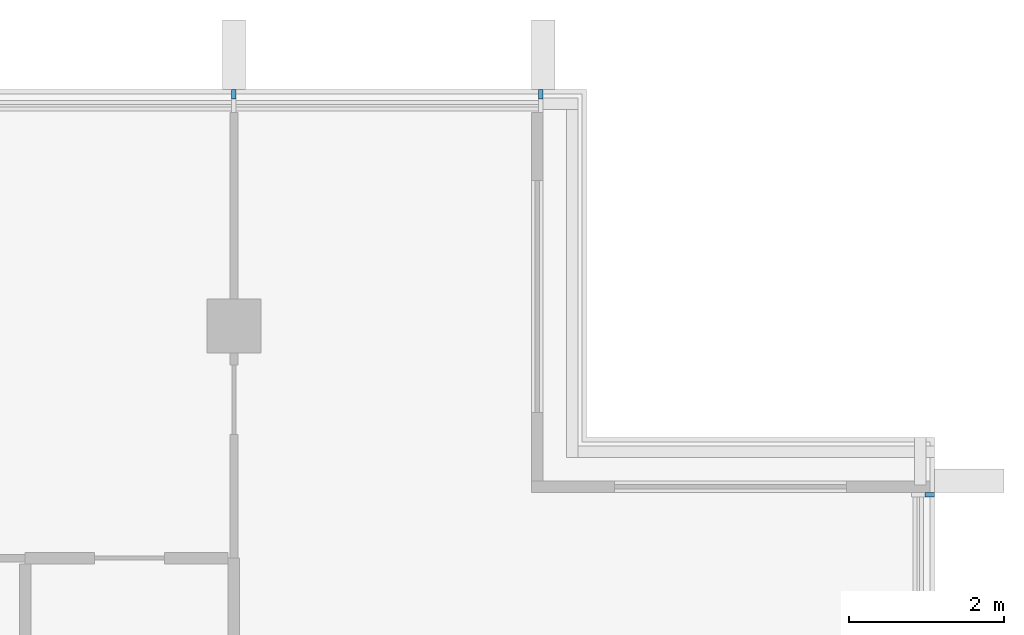
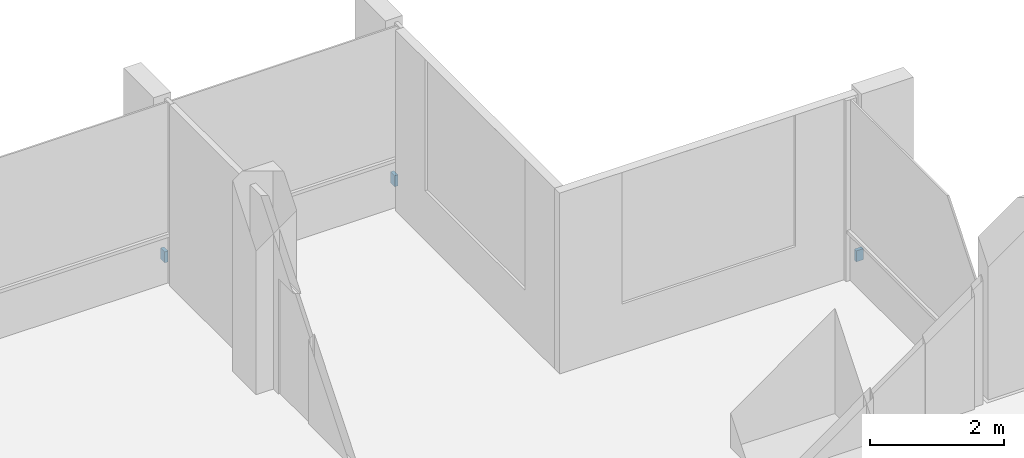
# One storey, part 15 of 16: 3 discrete accessories.
"""IFC4 building model written with IfcOpenShell, lengths in metres."""

from ifc_helpers import new_model, si_unit, direction, frame, origin, origin_2d, place, context, subcontext, project, spatial, rectangle, extrude, material, type_object, element, save


model = new_model("IFC4")

# Units and contexts
model_context = context("Model", 3, precision=1e-05, world=origin(), true_north=direction((0.0, 1.0)))
body_context = subcontext(model_context, "Body", "Model", "MODEL_VIEW")
ifc_project = project(units=[si_unit("LENGTHUNIT", "METRE"), si_unit("AREAUNIT", "SQUARE_METRE"), si_unit("VOLUMEUNIT", "CUBIC_METRE"), si_unit("PLANEANGLEUNIT", "RADIAN"), si_unit("MASSUNIT", "GRAM", prefix="KILO")], contexts=[model_context])

# Site, building, storey
site_placement = place(None, origin())
site = spatial("IfcSite", under=ifc_project, at=site_placement, CompositionType="ELEMENT")
building_placement = place(site_placement, origin())
building = spatial("IfcBuilding", under=site, at=building_placement, Name="Finial Court Residences", CompositionType="ELEMENT")
storey_placement = place(building_placement, frame((0.0, 0.0, 255.5)))
storey = spatial("IfcBuildingStorey", under=building, at=storey_placement, Name="L64", CompositionType="ELEMENT", Elevation=255.5)

# Discrete accessories
ifc_material = material(Name="Stainless steel 316", Category="steel")
discrete_accessory_type = type_object("IfcDiscreteAccessoryType", Name="Fin bracket, stainless steel 60 x 122 x 200", PredefinedType="BRACKET", material=ifc_material)
for number, where, z_axis, x_axis, name in (
    (1, (10.5, 16.498779296875, 0.2998046875), (0.0, 0.0, 1.0), (1.0, 0.0, 0.0), "E-L64-FIN-N5-BRK"),
    (2, (14.469970703125, 16.498779296875, 0.2998046875), (0.0, 0.0, 1.0), (1.0, 0.0, 0.0), "E-L64-FIN-N6-BRK"),
):
    element("IfcDiscreteAccessory", number, at=place(storey_placement, frame(where, z_axis=z_axis, x_axis=x_axis)), inside=storey, type_object=discrete_accessory_type, Name=name, PredefinedType="BRACKET", context=body_context, shape_type="SweptSolid", body=[
        extrude(rectangle(XDim=0.06005859375, YDim=0.12255859375, at=origin_2d()), origin(), (0.0, 0.0, 1.0), 0.199951171875),
    ])
discrete_accessory_placement = place(storey_placement, frame((19.498779296875, 11.320068359375, 0.2998046875), z_axis=(0.0, 0.0, 1.0), x_axis=(1.0, 0.0, 0.0)))
element("IfcDiscreteAccessory", 3, at=discrete_accessory_placement, inside=storey, type_object=discrete_accessory_type, Name="E-L64-FIN-E12-BRK", PredefinedType="BRACKET", context=body_context, shape_type="SweptSolid", body=[
    extrude(rectangle(XDim=0.12255859375, YDim=0.06005859375, at=origin_2d()), origin(), (0.0, 0.0, 1.0), 0.199951171875),
])

save(model, "model.ifc")
